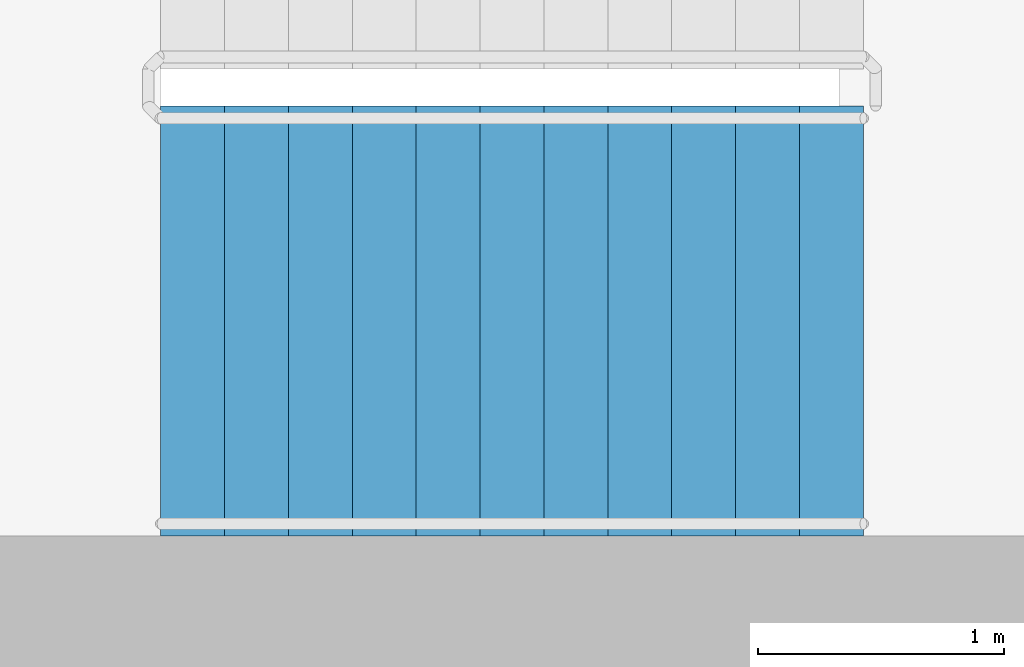
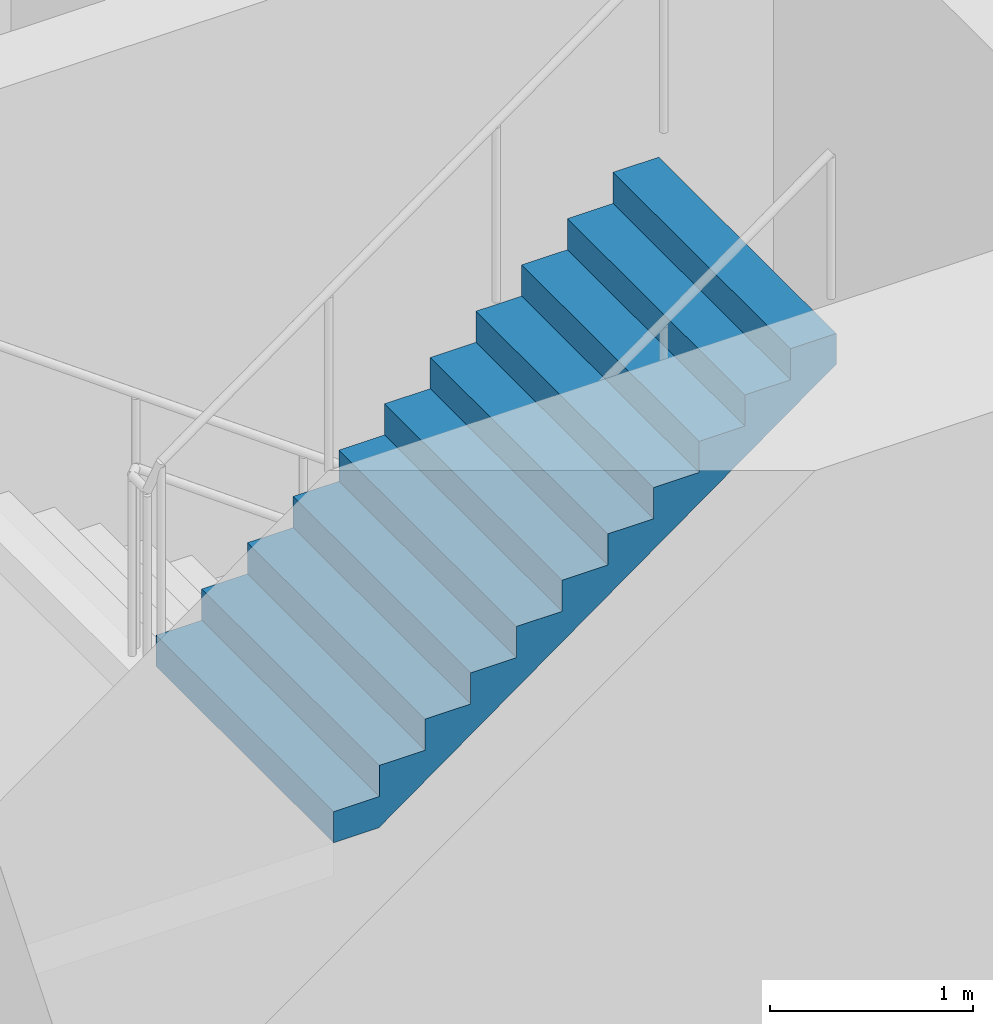
# One storey, part 29 of 51: 1 stair flight, 1 element without a shape of its own.
"""IFC4 building model written with IfcOpenShell, lengths in metres."""

from ifc_helpers import new_model, si_unit, direction, frame, origin, place, context, subcontext, project, spatial, faceted_brep, material, type_object, element, aggregate, save


model = new_model("IFC4")

# Units and contexts
model_context = context("Model", 3, precision=1e-05, world=origin(), true_north=direction((0.0, 1.0)))
body_context = subcontext(model_context, "Body", "Model", "MODEL_VIEW")
ifc_project = project(units=[si_unit("LENGTHUNIT", "METRE"), si_unit("AREAUNIT", "SQUARE_METRE"), si_unit("VOLUMEUNIT", "CUBIC_METRE"), si_unit("PLANEANGLEUNIT", "RADIAN"), si_unit("MASSUNIT", "GRAM", prefix="KILO")], contexts=[model_context])

# Site, building, storey
site_placement = place(None, origin())
site = spatial("IfcSite", under=ifc_project, at=site_placement, CompositionType="ELEMENT")
building_placement = place(site_placement, origin())
building = spatial("IfcBuilding", under=site, at=building_placement, Name="Ipe Terrace Towers", CompositionType="ELEMENT")
storey_placement = place(building_placement, frame((0.0, 0.0, 15.5)))
storey = spatial("IfcBuildingStorey", under=building, at=storey_placement, Name="L03", CompositionType="ELEMENT", Elevation=15.5)

# Stair, stair flight
ifc_material_1 = material(Name="Concrete C30/37", Category="concrete")
stair_type = type_object("IfcStairType", Name="Protected exit stair", PredefinedType="HALF_TURN_STAIR", material=ifc_material_1)
stair_placement = place(storey_placement, origin())
stair = element("IfcStair", 1, at=stair_placement, inside=storey, type_object=stair_type, Name="L03 Exit stair T1-C2", PredefinedType="HALF_TURN_STAIR")
ifc_material_2 = material(Name="Concrete C30/37", Category="concrete")
stair_flight_type = type_object("IfcStairFlightType", Name="Exit stair flight 1750", PredefinedType="STRAIGHT", material=ifc_material_2)
stair_flight_placement = place(storey_placement, frame((-48.56005859375, -4.675048828125, 2.25), z_axis=(0.0, 0.0, 1.0), x_axis=(1.0, 0.0, 0.0)))
stair_flight = element("IfcStairFlight", 2, at=stair_flight_placement, type_object=stair_flight_type, Name="T1-ST2 flight 2", NumberOfRisers=12, NumberOfTreads=11, PredefinedType="STRAIGHT", RiserHeight=0.1875, TreadLength=0.26, context=body_context, shape_type="Brep", body=[
    faceted_brep([(0.25634765625, -0.875, 0.0), (2.860107421875, -0.875, 1.877685546875), (2.860107421875, -0.875, 2.0625), (2.60009765625, -0.875, 2.0625), (2.60009765625, -0.875, 1.875), (2.340087890625, -0.875, 1.875), (2.340087890625, -0.875, 1.6875), (2.080078125, -0.875, 1.6875), (2.080078125, -0.875, 1.5), (1.820068359375, -0.875, 1.5), (1.820068359375, -0.875, 1.3125), (1.56005859375, -0.875, 1.3125), (1.56005859375, -0.875, 1.125), (1.300048828125, -0.875, 1.125), (1.300048828125, -0.875, 0.9375), (1.0400390625, -0.875, 0.9375), (1.0400390625, -0.875, 0.75), (0.780029296875, -0.875, 0.75), (0.780029296875, -0.875, 0.5625), (0.52001953125, -0.875, 0.5625), (0.52001953125, -0.875, 0.375), (0.260009765625, -0.875, 0.375), (0.260009765625, -0.875, 0.1875), (0.0, -0.875, 0.1875), (0.0, -0.875, 0.0), (0.0, 0.875, 0.0), (0.0, 0.875, 0.1875), (0.260009765625, 0.875, 0.1875), (0.260009765625, 0.875, 0.375), (0.52001953125, 0.875, 0.375), (0.52001953125, 0.875, 0.5625), (0.780029296875, 0.875, 0.5625), (0.780029296875, 0.875, 0.75), (1.0400390625, 0.875, 0.75), (1.0400390625, 0.875, 0.9375), (1.300048828125, 0.875, 0.9375), (1.300048828125, 0.875, 1.125), (1.56005859375, 0.875, 1.125), (1.56005859375, 0.875, 1.3125), (1.820068359375, 0.875, 1.3125), (1.820068359375, 0.875, 1.5), (2.080078125, 0.875, 1.5), (2.080078125, 0.875, 1.6875), (2.340087890625, 0.875, 1.6875), (2.340087890625, 0.875, 1.875), (2.60009765625, 0.875, 1.875), (2.60009765625, 0.875, 2.0625), (2.860107421875, 0.875, 2.0625), (2.860107421875, 0.875, 1.877685546875), (0.25634765625, 0.875, 0.0), (0.0, -0.300048828125, 0.1875), (0.0, -0.1201171875, 0.1875), (0.0, -0.06005859375, 0.1875), (0.0, -0.030029296875, 0.1875), (0.0, -0.010009765625, 0.1875), (0.0, 0.0, 0.1875), (0.0, 0.010009765625, 0.1875), (0.0, 0.030029296875, 0.1875), (0.0, 0.06005859375, 0.1875), (0.0, 0.1201171875, 0.1875), (0.0, 0.300048828125, 0.1875), (0.0, 0.300048828125, 0.0), (0.0, 0.1201171875, 0.0), (0.0, 0.06005859375, 0.0), (0.0, 0.030029296875, 0.0), (0.0, 0.010009765625, 0.0), (0.0, 0.0, 0.0), (0.0, -0.010009765625, 0.0), (0.0, -0.030029296875, 0.0), (0.0, -0.06005859375, 0.0), (0.0, -0.1201171875, 0.0), (0.0, -0.300048828125, 0.0), (0.260009765625, -0.300048828125, 0.1875), (0.260009765625, -0.1201171875, 0.1875), (0.260009765625, -0.06005859375, 0.1875), (0.260009765625, -0.030029296875, 0.1875), (0.260009765625, -0.010009765625, 0.1875), (0.260009765625, 0.0, 0.1875), (0.260009765625, 0.010009765625, 0.1875), (0.260009765625, 0.030029296875, 0.1875), (0.260009765625, 0.06005859375, 0.1875), (0.260009765625, 0.1201171875, 0.1875), (0.260009765625, 0.300048828125, 0.1875), (0.260009765625, -0.300048828125, 0.375), (0.260009765625, -0.1201171875, 0.375), (0.260009765625, -0.06005859375, 0.375), (0.260009765625, -0.030029296875, 0.375), (0.260009765625, -0.010009765625, 0.375), (0.260009765625, 0.0, 0.375), (0.260009765625, 0.010009765625, 0.375), (0.260009765625, 0.030029296875, 0.375), (0.260009765625, 0.06005859375, 0.375), (0.260009765625, 0.1201171875, 0.375), (0.260009765625, 0.300048828125, 0.375), (0.52001953125, -0.300048828125, 0.375), (0.52001953125, -0.1201171875, 0.375), (0.52001953125, -0.06005859375, 0.375), (0.52001953125, -0.030029296875, 0.375), (0.52001953125, -0.010009765625, 0.375), (0.52001953125, 0.0, 0.375), (0.52001953125, 0.010009765625, 0.375), (0.52001953125, 0.030029296875, 0.375), (0.52001953125, 0.06005859375, 0.375), (0.52001953125, 0.1201171875, 0.375), (0.52001953125, 0.300048828125, 0.375), (0.52001953125, -0.300048828125, 0.5625), (0.52001953125, -0.1201171875, 0.5625), (0.52001953125, -0.06005859375, 0.5625), (0.52001953125, -0.030029296875, 0.5625), (0.52001953125, -0.010009765625, 0.5625), (0.52001953125, 0.0, 0.5625), (0.52001953125, 0.010009765625, 0.5625), (0.52001953125, 0.030029296875, 0.5625), (0.52001953125, 0.06005859375, 0.5625), (0.52001953125, 0.1201171875, 0.5625), (0.52001953125, 0.300048828125, 0.5625), (0.780029296875, -0.300048828125, 0.5625), (0.780029296875, -0.1201171875, 0.5625), (0.780029296875, -0.06005859375, 0.5625), (0.780029296875, -0.030029296875, 0.5625), (0.780029296875, -0.010009765625, 0.5625), (0.780029296875, 0.0, 0.5625), (0.780029296875, 0.010009765625, 0.5625), (0.780029296875, 0.030029296875, 0.5625), (0.780029296875, 0.06005859375, 0.5625), (0.780029296875, 0.1201171875, 0.5625), (0.780029296875, 0.300048828125, 0.5625), (0.780029296875, -0.300048828125, 0.75), (0.780029296875, -0.1201171875, 0.75), (0.780029296875, -0.06005859375, 0.75), (0.780029296875, -0.030029296875, 0.75), (0.780029296875, -0.010009765625, 0.75), (0.780029296875, 0.0, 0.75), (0.780029296875, 0.010009765625, 0.75), (0.780029296875, 0.030029296875, 0.75), (0.780029296875, 0.06005859375, 0.75), (0.780029296875, 0.1201171875, 0.75), (0.780029296875, 0.300048828125, 0.75), (1.0400390625, -0.300048828125, 0.75), (1.0400390625, -0.1201171875, 0.75), (1.0400390625, -0.06005859375, 0.75), (1.0400390625, -0.030029296875, 0.75), (1.0400390625, -0.010009765625, 0.75), (1.0400390625, 0.0, 0.75), (1.0400390625, 0.010009765625, 0.75), (1.0400390625, 0.030029296875, 0.75), (1.0400390625, 0.06005859375, 0.75), (1.0400390625, 0.1201171875, 0.75), (1.0400390625, 0.300048828125, 0.75), (1.0400390625, -0.300048828125, 0.9375), (1.0400390625, -0.1201171875, 0.9375), (1.0400390625, -0.06005859375, 0.9375), (1.0400390625, -0.030029296875, 0.9375), (1.0400390625, -0.010009765625, 0.9375), (1.0400390625, 0.0, 0.9375), (1.0400390625, 0.010009765625, 0.9375), (1.0400390625, 0.030029296875, 0.9375), (1.0400390625, 0.06005859375, 0.9375), (1.0400390625, 0.1201171875, 0.9375), (1.0400390625, 0.300048828125, 0.9375), (1.300048828125, -0.300048828125, 0.9375), (1.300048828125, -0.1201171875, 0.9375), (1.300048828125, -0.06005859375, 0.9375), (1.300048828125, -0.030029296875, 0.9375), (1.300048828125, -0.010009765625, 0.9375), (1.300048828125, 0.0, 0.9375), (1.300048828125, 0.010009765625, 0.9375), (1.300048828125, 0.030029296875, 0.9375), (1.300048828125, 0.06005859375, 0.9375), (1.300048828125, 0.1201171875, 0.9375), (1.300048828125, 0.300048828125, 0.9375), (1.300048828125, -0.300048828125, 1.125), (1.300048828125, -0.1201171875, 1.125), (1.300048828125, -0.06005859375, 1.125), (1.300048828125, -0.030029296875, 1.125), (1.300048828125, -0.010009765625, 1.125), (1.300048828125, 0.0, 1.125), (1.300048828125, 0.010009765625, 1.125), (1.300048828125, 0.030029296875, 1.125), (1.300048828125, 0.06005859375, 1.125), (1.300048828125, 0.1201171875, 1.125), (1.300048828125, 0.300048828125, 1.125), (1.56005859375, -0.300048828125, 1.125), (1.56005859375, -0.1201171875, 1.125), (1.56005859375, -0.06005859375, 1.125), (1.56005859375, -0.030029296875, 1.125), (1.56005859375, -0.010009765625, 1.125), (1.56005859375, 0.0, 1.125), (1.56005859375, 0.010009765625, 1.125), (1.56005859375, 0.030029296875, 1.125), (1.56005859375, 0.06005859375, 1.125), (1.56005859375, 0.1201171875, 1.125), (1.56005859375, 0.300048828125, 1.125), (1.56005859375, -0.300048828125, 1.3125), (1.56005859375, -0.1201171875, 1.3125), (1.56005859375, -0.06005859375, 1.3125), (1.56005859375, -0.030029296875, 1.3125), (1.56005859375, -0.010009765625, 1.3125), (1.56005859375, 0.0, 1.3125), (1.56005859375, 0.010009765625, 1.3125), (1.56005859375, 0.030029296875, 1.3125), (1.56005859375, 0.06005859375, 1.3125), (1.56005859375, 0.1201171875, 1.3125), (1.56005859375, 0.300048828125, 1.3125), (1.820068359375, -0.300048828125, 1.3125), (1.820068359375, -0.1201171875, 1.3125), (1.820068359375, -0.06005859375, 1.3125), (1.820068359375, -0.030029296875, 1.3125), (1.820068359375, -0.010009765625, 1.3125), (1.820068359375, 0.0, 1.3125), (1.820068359375, 0.010009765625, 1.3125), (1.820068359375, 0.030029296875, 1.3125), (1.820068359375, 0.06005859375, 1.3125), (1.820068359375, 0.1201171875, 1.3125), (1.820068359375, 0.300048828125, 1.3125), (1.820068359375, -0.300048828125, 1.5), (1.820068359375, -0.1201171875, 1.5), (1.820068359375, -0.06005859375, 1.5), (1.820068359375, -0.030029296875, 1.5), (1.820068359375, -0.010009765625, 1.5), (1.820068359375, 0.0, 1.5), (1.820068359375, 0.010009765625, 1.5), (1.820068359375, 0.030029296875, 1.5), (1.820068359375, 0.06005859375, 1.5), (1.820068359375, 0.1201171875, 1.5), (1.820068359375, 0.300048828125, 1.5), (2.080078125, -0.300048828125, 1.5), (2.080078125, -0.1201171875, 1.5), (2.080078125, -0.06005859375, 1.5), (2.080078125, -0.030029296875, 1.5), (2.080078125, -0.010009765625, 1.5), (2.080078125, 0.0, 1.5), (2.080078125, 0.010009765625, 1.5), (2.080078125, 0.030029296875, 1.5), (2.080078125, 0.06005859375, 1.5), (2.080078125, 0.1201171875, 1.5), (2.080078125, 0.300048828125, 1.5), (2.080078125, -0.300048828125, 1.6875), (2.080078125, -0.1201171875, 1.6875), (2.080078125, -0.06005859375, 1.6875), (2.080078125, -0.030029296875, 1.6875), (2.080078125, -0.010009765625, 1.6875), (2.080078125, 0.0, 1.6875), (2.080078125, 0.010009765625, 1.6875), (2.080078125, 0.030029296875, 1.6875), (2.080078125, 0.06005859375, 1.6875), (2.080078125, 0.1201171875, 1.6875), (2.080078125, 0.300048828125, 1.6875), (2.340087890625, -0.300048828125, 1.6875), (2.340087890625, -0.1201171875, 1.6875), (2.340087890625, -0.06005859375, 1.6875), (2.340087890625, -0.030029296875, 1.6875), (2.340087890625, -0.010009765625, 1.6875), (2.340087890625, 0.0, 1.6875), (2.340087890625, 0.010009765625, 1.6875), (2.340087890625, 0.030029296875, 1.6875), (2.340087890625, 0.06005859375, 1.6875), (2.340087890625, 0.1201171875, 1.6875), (2.340087890625, 0.300048828125, 1.6875), (2.340087890625, -0.300048828125, 1.875), (2.340087890625, -0.1201171875, 1.875), (2.340087890625, -0.06005859375, 1.875), (2.340087890625, -0.030029296875, 1.875), (2.340087890625, -0.010009765625, 1.875), (2.340087890625, 0.0, 1.875), (2.340087890625, 0.010009765625, 1.875), (2.340087890625, 0.030029296875, 1.875), (2.340087890625, 0.06005859375, 1.875), (2.340087890625, 0.1201171875, 1.875), (2.340087890625, 0.300048828125, 1.875), (2.60009765625, -0.300048828125, 1.875), (2.60009765625, -0.1201171875, 1.875), (2.60009765625, -0.06005859375, 1.875), (2.60009765625, -0.030029296875, 1.875), (2.60009765625, -0.010009765625, 1.875), (2.60009765625, 0.0, 1.875), (2.60009765625, 0.010009765625, 1.875), (2.60009765625, 0.030029296875, 1.875), (2.60009765625, 0.06005859375, 1.875), (2.60009765625, 0.1201171875, 1.875), (2.60009765625, 0.300048828125, 1.875), (2.60009765625, -0.300048828125, 2.0625), (2.60009765625, -0.1201171875, 2.0625), (2.60009765625, -0.06005859375, 2.0625), (2.60009765625, -0.030029296875, 2.0625), (2.60009765625, -0.010009765625, 2.0625), (2.60009765625, 0.0, 2.0625), (2.60009765625, 0.010009765625, 2.0625), (2.60009765625, 0.030029296875, 2.0625), (2.60009765625, 0.06005859375, 2.0625), (2.60009765625, 0.1201171875, 2.0625), (2.60009765625, 0.300048828125, 2.0625), (2.860107421875, -0.300048828125, 2.0625), (2.860107421875, -0.1201171875, 2.0625), (2.860107421875, -0.06005859375, 2.0625), (2.860107421875, -0.030029296875, 2.0625), (2.860107421875, -0.010009765625, 2.0625), (2.860107421875, 0.0, 2.0625), (2.860107421875, 0.010009765625, 2.0625), (2.860107421875, 0.030029296875, 2.0625), (2.860107421875, 0.06005859375, 2.0625), (2.860107421875, 0.1201171875, 2.0625), (2.860107421875, 0.300048828125, 2.0625), (2.860107421875, -0.300048828125, 1.877685546875), (2.860107421875, -0.1201171875, 1.877685546875), (2.860107421875, -0.06005859375, 1.877685546875), (2.860107421875, -0.030029296875, 1.877685546875), (2.860107421875, -0.010009765625, 1.877685546875), (2.860107421875, 0.0, 1.877685546875), (2.860107421875, 0.010009765625, 1.877685546875), (2.860107421875, 0.030029296875, 1.877685546875), (2.860107421875, 0.06005859375, 1.877685546875), (2.860107421875, 0.1201171875, 1.877685546875), (2.860107421875, 0.300048828125, 1.877685546875), (0.25634765625, -0.300048828125, 0.0), (0.25634765625, -0.1201171875, 0.0), (0.25634765625, -0.06005859375, 0.0), (0.25634765625, -0.030029296875, 0.0), (0.25634765625, -0.010009765625, 0.0), (0.25634765625, 0.0, 0.0), (0.25634765625, 0.010009765625, 0.0), (0.25634765625, 0.030029296875, 0.0), (0.25634765625, 0.06005859375, 0.0), (0.25634765625, 0.1201171875, 0.0), (0.25634765625, 0.300048828125, 0.0)], [[[0, 1, 2, 3, 4, 5, 6, 7, 8, 9, 10, 11, 12, 13, 14, 15, 16, 17, 18, 19, 20, 21, 22, 23, 24]], [[25, 26, 27, 28, 29, 30, 31, 32, 33, 34, 35, 36, 37, 38, 39, 40, 41, 42, 43, 44, 45, 46, 47, 48, 49]], [[23, 50, 51, 52, 53, 54, 55, 56, 57, 58, 59, 60, 26, 25, 61, 62, 63, 64, 65, 66, 67, 68, 69, 70, 71, 24]], [[22, 72, 73, 74, 75, 76, 77, 78, 79, 80, 81, 82, 27, 26, 60, 59, 58, 57, 56, 55, 54, 53, 52, 51, 50, 23]], [[21, 83, 84, 85, 86, 87, 88, 89, 90, 91, 92, 93, 28, 27, 82, 81, 80, 79, 78, 77, 76, 75, 74, 73, 72, 22]], [[20, 94, 95, 96, 97, 98, 99, 100, 101, 102, 103, 104, 29, 28, 93, 92, 91, 90, 89, 88, 87, 86, 85, 84, 83, 21]], [[19, 105, 106, 107, 108, 109, 110, 111, 112, 113, 114, 115, 30, 29, 104, 103, 102, 101, 100, 99, 98, 97, 96, 95, 94, 20]], [[18, 116, 117, 118, 119, 120, 121, 122, 123, 124, 125, 126, 31, 30, 115, 114, 113, 112, 111, 110, 109, 108, 107, 106, 105, 19]], [[17, 127, 128, 129, 130, 131, 132, 133, 134, 135, 136, 137, 32, 31, 126, 125, 124, 123, 122, 121, 120, 119, 118, 117, 116, 18]], [[16, 138, 139, 140, 141, 142, 143, 144, 145, 146, 147, 148, 33, 32, 137, 136, 135, 134, 133, 132, 131, 130, 129, 128, 127, 17]], [[15, 149, 150, 151, 152, 153, 154, 155, 156, 157, 158, 159, 34, 33, 148, 147, 146, 145, 144, 143, 142, 141, 140, 139, 138, 16]], [[14, 160, 161, 162, 163, 164, 165, 166, 167, 168, 169, 170, 35, 34, 159, 158, 157, 156, 155, 154, 153, 152, 151, 150, 149, 15]], [[13, 171, 172, 173, 174, 175, 176, 177, 178, 179, 180, 181, 36, 35, 170, 169, 168, 167, 166, 165, 164, 163, 162, 161, 160, 14]], [[12, 182, 183, 184, 185, 186, 187, 188, 189, 190, 191, 192, 37, 36, 181, 180, 179, 178, 177, 176, 175, 174, 173, 172, 171, 13]], [[11, 193, 194, 195, 196, 197, 198, 199, 200, 201, 202, 203, 38, 37, 192, 191, 190, 189, 188, 187, 186, 185, 184, 183, 182, 12]], [[10, 204, 205, 206, 207, 208, 209, 210, 211, 212, 213, 214, 39, 38, 203, 202, 201, 200, 199, 198, 197, 196, 195, 194, 193, 11]], [[9, 215, 216, 217, 218, 219, 220, 221, 222, 223, 224, 225, 40, 39, 214, 213, 212, 211, 210, 209, 208, 207, 206, 205, 204, 10]], [[8, 226, 227, 228, 229, 230, 231, 232, 233, 234, 235, 236, 41, 40, 225, 224, 223, 222, 221, 220, 219, 218, 217, 216, 215, 9]], [[7, 237, 238, 239, 240, 241, 242, 243, 244, 245, 246, 247, 42, 41, 236, 235, 234, 233, 232, 231, 230, 229, 228, 227, 226, 8]], [[6, 248, 249, 250, 251, 252, 253, 254, 255, 256, 257, 258, 43, 42, 247, 246, 245, 244, 243, 242, 241, 240, 239, 238, 237, 7]], [[5, 259, 260, 261, 262, 263, 264, 265, 266, 267, 268, 269, 44, 43, 258, 257, 256, 255, 254, 253, 252, 251, 250, 249, 248, 6]], [[4, 270, 271, 272, 273, 274, 275, 276, 277, 278, 279, 280, 45, 44, 269, 268, 267, 266, 265, 264, 263, 262, 261, 260, 259, 5]], [[3, 281, 282, 283, 284, 285, 286, 287, 288, 289, 290, 291, 46, 45, 280, 279, 278, 277, 276, 275, 274, 273, 272, 271, 270, 4]], [[2, 292, 293, 294, 295, 296, 297, 298, 299, 300, 301, 302, 47, 46, 291, 290, 289, 288, 287, 286, 285, 284, 283, 282, 281, 3]], [[1, 303, 304, 305, 306, 307, 308, 309, 310, 311, 312, 313, 48, 47, 302, 301, 300, 299, 298, 297, 296, 295, 294, 293, 292, 2]], [[0, 314, 315, 316, 317, 318, 319, 320, 321, 322, 323, 324, 49, 48, 313, 312, 311, 310, 309, 308, 307, 306, 305, 304, 303, 1]], [[24, 71, 70, 69, 68, 67, 66, 65, 64, 63, 62, 61, 25, 49, 324, 323, 322, 321, 320, 319, 318, 317, 316, 315, 314, 0]]]),
])
aggregate(stair, [stair_flight])

save(model, "model.ifc")
